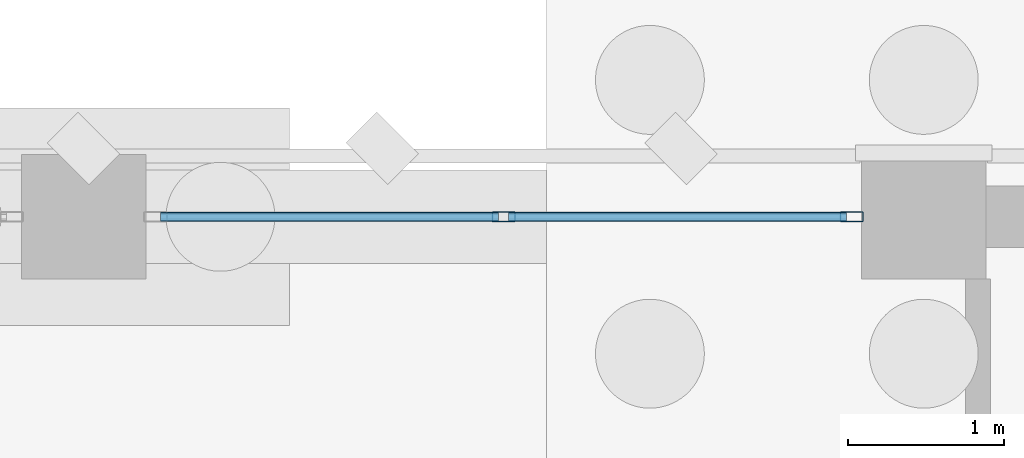
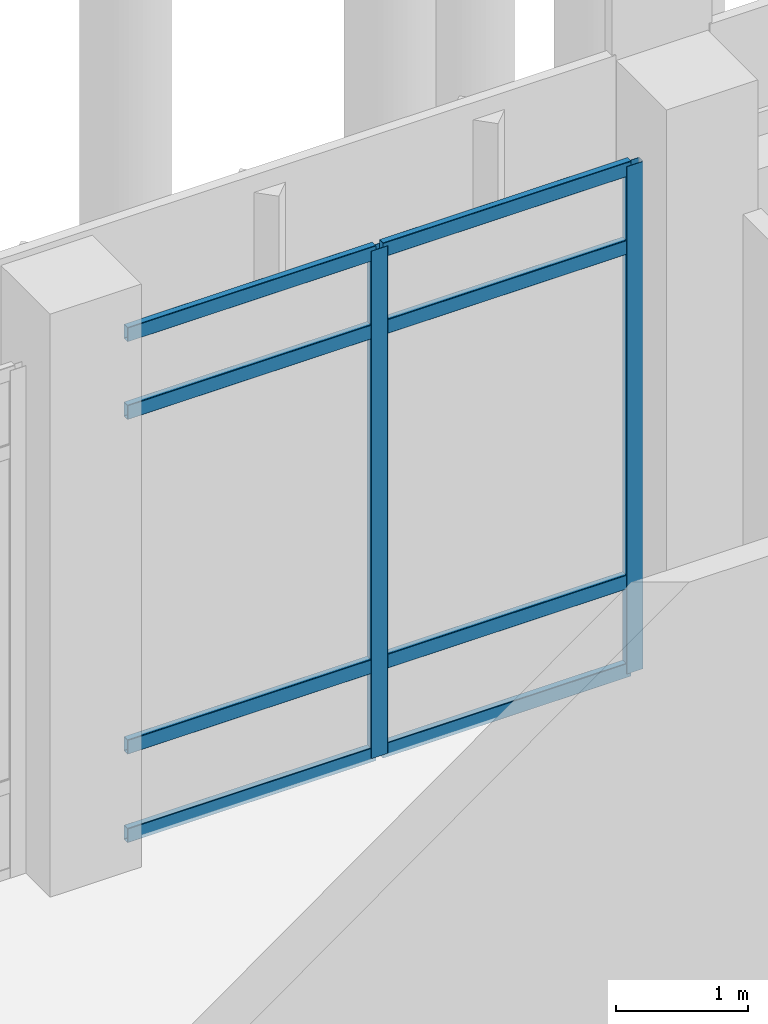
# One storey, part 34 of 109: 10 members, 1 element without a shape of its own.
"""IFC4 building model written with IfcOpenShell, lengths in metres."""

from ifc_helpers import new_model, si_unit, direction, frame, origin, origin_2d, place, context, subcontext, project, spatial, hollow_rectangle, extrude, material, material_profile, profile_set, type_object, element, aggregate, save


model = new_model("IFC4")

# Units and contexts
model_context = context("Model", 3, precision=1e-05, world=origin(), true_north=direction((0.0, 1.0)))
body_context = subcontext(model_context, "Body", "Model", "MODEL_VIEW")
ifc_project = project(units=[si_unit("LENGTHUNIT", "METRE"), si_unit("AREAUNIT", "SQUARE_METRE"), si_unit("VOLUMEUNIT", "CUBIC_METRE"), si_unit("PLANEANGLEUNIT", "RADIAN"), si_unit("MASSUNIT", "GRAM", prefix="KILO")], contexts=[model_context])

# Site, building, storey
site_placement = place(None, origin())
site = spatial("IfcSite", under=ifc_project, at=site_placement, CompositionType="ELEMENT")
building_placement = place(site_placement, origin())
building = spatial("IfcBuilding", under=site, at=building_placement, Name="Lusvemor Sports Hall", CompositionType="ELEMENT")
storey_placement = place(building_placement, origin())
storey = spatial("IfcBuildingStorey", under=building, at=storey_placement, Name="L00", CompositionType="ELEMENT", Elevation=0.0)

# Curtain wall, members
ifc_material_1 = material(Name="Thermally broken bronze-anodized aluminium", Category="aluminium")
curtain_wall_type = type_object("IfcCurtainWallType", Name="CW_COURT_C", PredefinedType="NOTDEFINED", material=ifc_material_1)
curtain_wall_placement = place(storey_placement, origin())
curtain_wall = element("IfcCurtainWall", 1, at=curtain_wall_placement, inside=storey, type_object=curtain_wall_type, Name="Curtain Wall CW-V1N-L00-5-B", PredefinedType="NOTDEFINED")
ifc_material_2 = material(Name="Thermally broken bronze-anodized aluminium", Category="aluminium")
ifc_material_profile_1 = material_profile(ifc_material_2, hollow_rectangle(XDim=0.06494140625, YDim=0.14990234375, WallThickness=0.00390625, InnerFilletRadius=0.00390625, OuterFilletRadius=0.008056640625, at=origin_2d()), Name="CWMUL150x65x4")
ifc_profile_set_1 = profile_set([ifc_material_profile_1], Name="Thermally broken bronze-anodized aluminium")
member_type_1 = type_object("IfcMemberType", Name="CW_MUL_B", PredefinedType="MULLION", material=ifc_profile_set_1)
member_1_placement = place(storey_placement, frame((62.10009765625, 46.800048828125, 0.0), z_axis=(0.0, 0.0, 1.0), x_axis=(0.0, 1.0, 0.0)))
member_1 = element("IfcMember", 2, at=member_1_placement, type_object=member_type_1, Name="CW03 mullion 2", PredefinedType="MULLION", context=body_context, shape_type="SweptSolid", body=[
    extrude(hollow_rectangle(XDim=0.06494140625, YDim=0.14990234375, WallThickness=0.00390625, InnerFilletRadius=0.00390625, OuterFilletRadius=0.008056640625, at=origin_2d()), origin(), (0.0, 0.0, 1.0), 4.699951171875),
])
member_2_placement = place(storey_placement, frame((64.33740234375, 46.800048828125, 0.0), z_axis=(0.0, 0.0, 1.0), x_axis=(0.0, 1.0, 0.0)))
member_2 = element("IfcMember", 3, at=member_2_placement, type_object=member_type_1, Name="CW03 mullion 3", PredefinedType="MULLION", context=body_context, shape_type="SweptSolid", body=[
    extrude(hollow_rectangle(XDim=0.06494140625, YDim=0.14990234375, WallThickness=0.00390625, InnerFilletRadius=0.00390625, OuterFilletRadius=0.008056640625, at=origin_2d()), origin(), (0.0, 0.0, 1.0), 4.699951171875),
])
ifc_material_3 = material(Name="Thermally broken bronze-anodized aluminium", Category="aluminium")
ifc_material_profile_2 = material_profile(ifc_material_3, hollow_rectangle(XDim=0.06005859375, YDim=0.135009765625, WallThickness=0.00390625, InnerFilletRadius=0.00390625, OuterFilletRadius=0.008056640625, at=origin_2d()), Name="CWTRN135x60x4")
ifc_profile_set_2 = profile_set([ifc_material_profile_2], Name="Thermally broken bronze-anodized aluminium")
member_type_2 = type_object("IfcMemberType", Name="CW_TRN_B", PredefinedType="USERDEFINED", material=ifc_profile_set_2)
member_3_placement = place(storey_placement, frame((59.89501953125, 46.800048828125, 0.030029296875), z_axis=(1.0, 0.0, 0.0), x_axis=(0.0, 1.0, 0.0)))
member_3 = element("IfcMember", 4, at=member_3_placement, type_object=member_type_2, Name="CW03 transom 1.1", ObjectType="TRANSOM", PredefinedType="USERDEFINED", context=body_context, shape_type="SweptSolid", body=[
    extrude(hollow_rectangle(XDim=0.06005859375, YDim=0.135009765625, WallThickness=0.00390625, InnerFilletRadius=0.00390625, OuterFilletRadius=0.008056640625, at=origin_2d()), origin(), (0.0, 0.0, 1.0), 2.17236328125),
])
member_4_placement = place(storey_placement, frame((59.89501953125, 46.800048828125, 0.85009765625), z_axis=(1.0, 0.0, 0.0), x_axis=(0.0, 1.0, 0.0)))
member_4 = element("IfcMember", 5, at=member_4_placement, type_object=member_type_2, Name="CW03 transom 1.2", ObjectType="TRANSOM", PredefinedType="USERDEFINED", context=body_context, shape_type="SweptSolid", body=[
    extrude(hollow_rectangle(XDim=0.06005859375, YDim=0.135009765625, WallThickness=0.00390625, InnerFilletRadius=0.00390625, OuterFilletRadius=0.008056640625, at=origin_2d()), origin(), (0.0, 0.0, 1.0), 2.17236328125),
])
member_5_placement = place(storey_placement, frame((59.89501953125, 46.800048828125, 3.949951171875), z_axis=(1.0, 0.0, 0.0), x_axis=(0.0, 1.0, 0.0)))
member_5 = element("IfcMember", 6, at=member_5_placement, type_object=member_type_2, Name="CW03 transom 1.3", ObjectType="TRANSOM", PredefinedType="USERDEFINED", context=body_context, shape_type="SweptSolid", body=[
    extrude(hollow_rectangle(XDim=0.06005859375, YDim=0.135009765625, WallThickness=0.00390625, InnerFilletRadius=0.00390625, OuterFilletRadius=0.008056640625, at=origin_2d()), origin(), (0.0, 0.0, 1.0), 2.17236328125),
])
member_6_placement = place(storey_placement, frame((59.89501953125, 46.800048828125, 4.669921875), z_axis=(1.0, 0.0, 0.0), x_axis=(0.0, 1.0, 0.0)))
member_6 = element("IfcMember", 7, at=member_6_placement, type_object=member_type_2, Name="CW03 transom 1.4", ObjectType="TRANSOM", PredefinedType="USERDEFINED", context=body_context, shape_type="SweptSolid", body=[
    extrude(hollow_rectangle(XDim=0.06005859375, YDim=0.135009765625, WallThickness=0.00390625, InnerFilletRadius=0.00390625, OuterFilletRadius=0.008056640625, at=origin_2d()), origin(), (0.0, 0.0, 1.0), 2.17236328125),
])
member_7_placement = place(storey_placement, frame((62.132568359375, 46.800048828125, 0.030029296875), z_axis=(1.0, 0.0, 0.0), x_axis=(0.0, 1.0, 0.0)))
member_7 = element("IfcMember", 8, at=member_7_placement, type_object=member_type_2, Name="CW03 transom 2.1", ObjectType="TRANSOM", PredefinedType="USERDEFINED", context=body_context, shape_type="SweptSolid", body=[
    extrude(hollow_rectangle(XDim=0.06005859375, YDim=0.135009765625, WallThickness=0.00390625, InnerFilletRadius=0.00390625, OuterFilletRadius=0.008056640625, at=origin_2d()), origin(), (0.0, 0.0, 1.0), 2.17236328125),
])
member_8_placement = place(storey_placement, frame((62.132568359375, 46.800048828125, 0.85009765625), z_axis=(1.0, 0.0, 0.0), x_axis=(0.0, 1.0, 0.0)))
member_8 = element("IfcMember", 9, at=member_8_placement, type_object=member_type_2, Name="CW03 transom 2.2", ObjectType="TRANSOM", PredefinedType="USERDEFINED", context=body_context, shape_type="SweptSolid", body=[
    extrude(hollow_rectangle(XDim=0.06005859375, YDim=0.135009765625, WallThickness=0.00390625, InnerFilletRadius=0.00390625, OuterFilletRadius=0.008056640625, at=origin_2d()), origin(), (0.0, 0.0, 1.0), 2.17236328125),
])
member_9_placement = place(storey_placement, frame((62.132568359375, 46.800048828125, 3.949951171875), z_axis=(1.0, 0.0, 0.0), x_axis=(0.0, 1.0, 0.0)))
member_9 = element("IfcMember", 10, at=member_9_placement, type_object=member_type_2, Name="CW03 transom 2.3", ObjectType="TRANSOM", PredefinedType="USERDEFINED", context=body_context, shape_type="SweptSolid", body=[
    extrude(hollow_rectangle(XDim=0.06005859375, YDim=0.135009765625, WallThickness=0.00390625, InnerFilletRadius=0.00390625, OuterFilletRadius=0.008056640625, at=origin_2d()), origin(), (0.0, 0.0, 1.0), 2.17236328125),
])
member_10_placement = place(storey_placement, frame((62.132568359375, 46.800048828125, 4.669921875), z_axis=(1.0, 0.0, 0.0), x_axis=(0.0, 1.0, 0.0)))
member_10 = element("IfcMember", 11, at=member_10_placement, type_object=member_type_2, Name="CW03 transom 2.4", ObjectType="TRANSOM", PredefinedType="USERDEFINED", context=body_context, shape_type="SweptSolid", body=[
    extrude(hollow_rectangle(XDim=0.06005859375, YDim=0.135009765625, WallThickness=0.00390625, InnerFilletRadius=0.00390625, OuterFilletRadius=0.008056640625, at=origin_2d()), origin(), (0.0, 0.0, 1.0), 2.17236328125),
])
aggregate(curtain_wall, [member_1, member_2, member_3, member_4, member_5, member_6, member_7, member_8, member_9, member_10])

save(model, "model.ifc")
